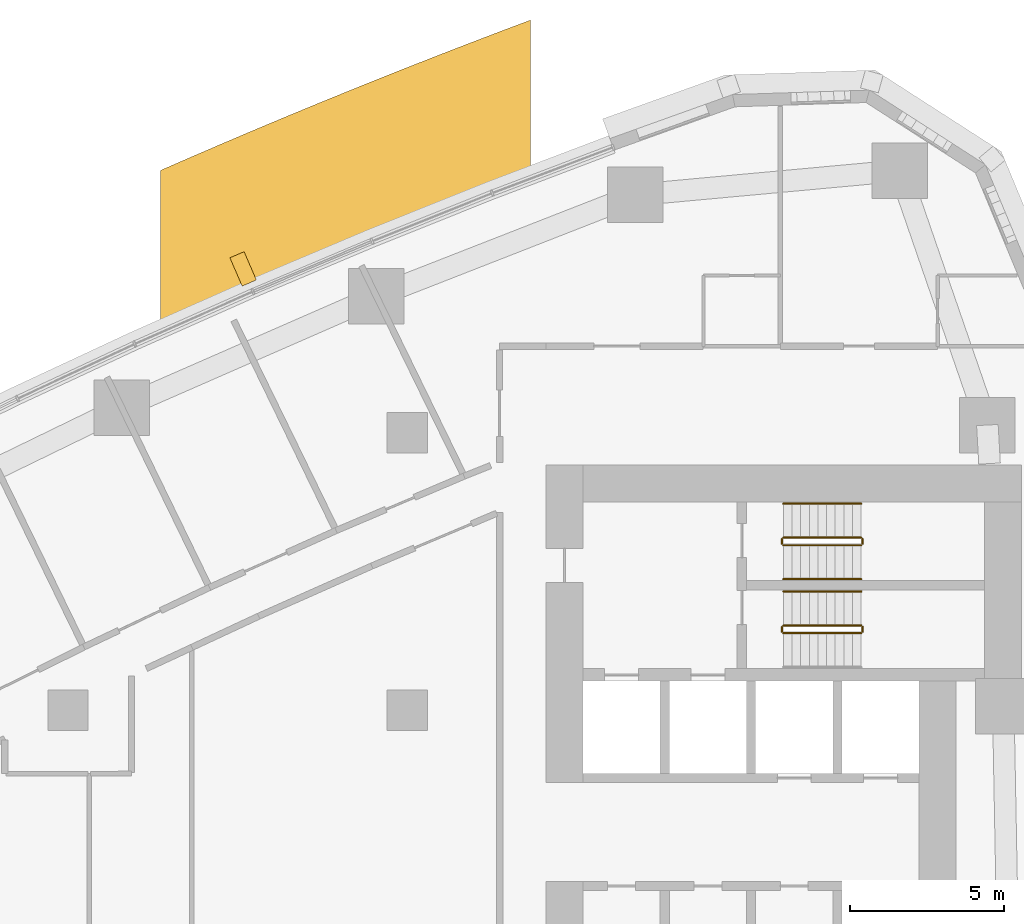
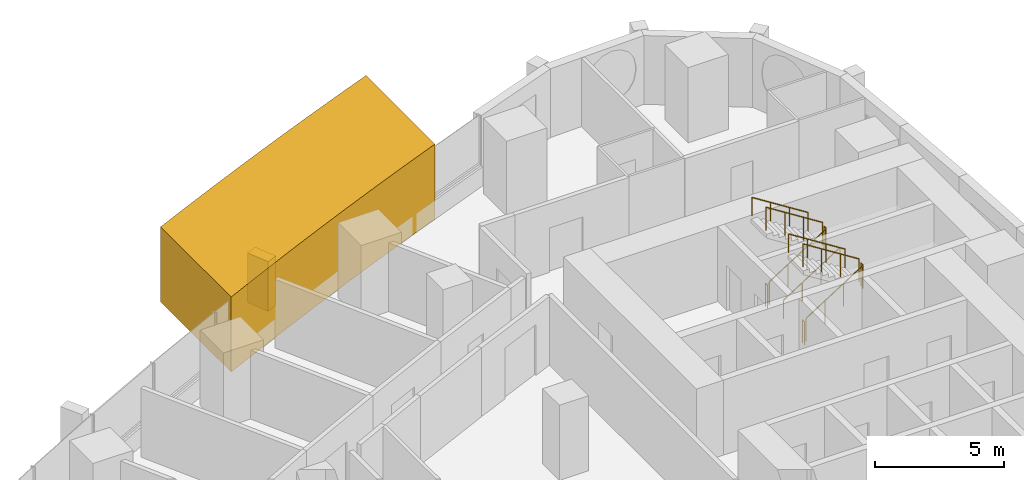
# One storey, part 18 of 19: 11 railings, 2 coverings.
"""IFC4 building model written with IfcOpenShell, lengths in metres."""

from ifc_helpers import new_model, si_unit, direction, frame, frame_2d, origin, origin_2d, place, context, subcontext, project, spatial, polyline, rectangle, circle, outline, extrude, material, layer, layer_set, type_object, element, save


model = new_model("IFC4")

# Units and contexts
model_context = context("Model", 3, precision=1e-05, world=origin(), true_north=direction((0.0, 1.0)))
body_context = subcontext(model_context, "Body", "Model", "MODEL_VIEW")
ifc_project = project(units=[si_unit("LENGTHUNIT", "METRE"), si_unit("AREAUNIT", "SQUARE_METRE"), si_unit("VOLUMEUNIT", "CUBIC_METRE"), si_unit("PLANEANGLEUNIT", "RADIAN"), si_unit("MASSUNIT", "GRAM", prefix="KILO")], contexts=[model_context])

# Site, building, storey
site_placement = place(None, origin())
site = spatial("IfcSite", under=ifc_project, at=site_placement, CompositionType="ELEMENT")
building_placement = place(site_placement, origin())
building = spatial("IfcBuilding", under=site, at=building_placement, Name="Ostrand Prow Hotel Tower", CompositionType="ELEMENT")
storey_placement = place(building_placement, frame((0.0, 0.0, 46.699951171875)))
storey = spatial("IfcBuildingStorey", under=building, at=storey_placement, Name="L09", CompositionType="ELEMENT", Elevation=46.699951171875)

# Coverings
ifc_material_1 = material(Name="Limestone cladding", Category="masonry")
ifc_layer_1 = layer(ifc_material_1, 5.0)
ifc_layer_set_1 = layer_set([ifc_layer_1], Name="Limestone cladding")
covering_type_1 = type_object("IfcCoveringType", Name="Portal jamb pilaster limestone", PredefinedType="CLADDING", material=ifc_layer_set_1)
covering_1_placement = place(storey_placement, origin())
element("IfcCovering", 1, at=covering_1_placement, inside=storey, type_object=covering_type_1, Name="Portal jamb NB L09", PredefinedType="CLADDING", context=body_context, shape_type="SweptSolid", body=[
    extrude(outline(polyline([(37.0, 21.037109375), (38.0, 21.484619140625), (39.0, 21.9267578125), (40.0, 22.363037109375), (41.0, 22.793701171875), (42.0, 23.218505859375), (43.0, 23.637939453125), (44.0, 24.051513671875), (45.0, 24.459716796875), (46.0, 24.862548828125), (47.0, 25.259765625), (48.0, 25.6513671875), (49.0, 26.03759765625), (49.0, 31.384521484375), (48.0, 31.0078125), (47.0, 30.62548828125), (46.0, 30.23828125), (45.0, 29.845703125), (44.0, 29.447509765625), (43.0, 29.044189453125), (42.0, 28.635498046875), (41.0, 28.22119140625), (40.0, 27.801513671875), (39.0, 27.376220703125), (38.0, 26.945556640625), (37.0, 26.50927734375), (37.0, 21.037109375)])), origin(), (0.0, 0.0, 1.0), 3.550048828125),
])
ifc_material_2 = material(Name="Limestone cladding", Category="masonry")
ifc_layer_2 = layer(ifc_material_2, 0.5)
ifc_layer_set_2 = layer_set([ifc_layer_2], Name="Limestone cladding")
covering_type_2 = type_object("IfcCoveringType", Name="Precast stone fin 500x900", PredefinedType="CLADDING", material=ifc_layer_set_2)
covering_2_placement = place(storey_placement, frame((39.876220703125, 22.854248046875, 0.900146484375), z_axis=(0.0, 0.0, 1.0), x_axis=(-0.397216867903, 0.917724773477, 0.0)))
element("IfcCovering", 2, at=covering_2_placement, inside=storey, type_object=covering_type_2, Name="Stone fin N 4", PredefinedType="CLADDING", context=body_context, shape_type="SweptSolid", body=[
    extrude(rectangle(XDim=1.0, YDim=0.5, at=frame_2d((0.5, 0.0))), origin(), (0.0, 0.0, 1.0), 2.349853515625),
])

# Railings
ifc_material_3 = material(Name="Painted steel", Category="steel")
railing_type_1 = type_object("IfcRailingType", Name="Stair guard 1100", PredefinedType="GUARDRAIL", material=ifc_material_3)
railing_1_placement = place(storey_placement, frame((57.199951171875, 11.5, 0.177490234375)))
element("IfcRailing", 3, at=railing_1_placement, inside=storey, type_object=railing_type_1, Name="L09 ST1C stair guard 1", PredefinedType="GUARDRAIL", context=body_context, shape_type="SweptSolid", body=[
    extrude(circle(Radius=0.02392578125, at=origin_2d()), frame((0.0, 0.0, 1.076171875), z_axis=(0.84456994832, 0.0, 0.535445237532), x_axis=(0.0, 1.0, 0.0)), (0.0, 0.0, 1.0), 2.98388671875),
    extrude(circle(Radius=0.02099609375, at=origin_2d()), origin(), (0.0, 0.0, 1.0), 1.052001953125),
    extrude(circle(Radius=0.02099609375, at=origin_2d()), frame((0.840087890625, 0.0, 0.532470703125)), (0.0, 0.0, 1.0), 1.052001953125),
    extrude(circle(Radius=0.02099609375, at=origin_2d()), frame((1.679931640625, 0.0, 1.065185546875)), (0.0, 0.0, 1.0), 1.052001953125),
    extrude(circle(Radius=0.02099609375, at=origin_2d()), frame((2.52001953125, 0.0, 1.59765625)), (0.0, 0.0, 1.0), 1.052001953125),
])
railing_2_placement = place(storey_placement, frame((59.77001953125, 11.550048828125, 1.775146484375)))
element("IfcRailing", 4, at=railing_2_placement, inside=storey, type_object=railing_type_1, Name="L09 ST1C stair guard 2", PredefinedType="GUARDRAIL", context=body_context, shape_type="SweptSolid", body=[
    extrude(circle(Radius=0.02392578125, at=origin_2d()), frame((0.0, 0.0, 1.076171875), z_axis=(0.0, 1.0, 0.0), x_axis=(-1.0, 0.0, 0.0)), (0.0, 0.0, 1.0), 0.14990234375),
    extrude(circle(Radius=0.02099609375, at=origin_2d()), origin(), (0.0, 0.0, 1.0), 1.052001953125),
    extrude(circle(Radius=0.02099609375, at=origin_2d()), frame((0.0, 0.14990234375, 0.0)), (0.0, 0.0, 1.0), 1.052001953125),
])
railing_3_placement = place(storey_placement, frame((59.719970703125, 11.75, 1.95263671875)))
element("IfcRailing", 5, at=railing_3_placement, inside=storey, type_object=railing_type_1, Name="L09 ST1C stair guard 3", PredefinedType="GUARDRAIL", context=body_context, shape_type="SweptSolid", body=[
    extrude(circle(Radius=0.02392578125, at=origin_2d()), frame((0.0, 0.0, 1.076171875), z_axis=(-0.84460694969, 0.0, 0.535386869969), x_axis=(0.0, -1.0, 0.0)), (0.0, 0.0, 1.0), 2.983642578125),
    extrude(circle(Radius=0.02099609375, at=origin_2d()), origin(), (0.0, 0.0, 1.0), 1.052001953125),
    extrude(circle(Radius=0.02099609375, at=origin_2d()), frame((-0.840087890625, 0.0, 0.532470703125)), (0.0, 0.0, 1.0), 1.052001953125),
    extrude(circle(Radius=0.02099609375, at=origin_2d()), frame((-1.679931640625, 0.0, 1.06494140625)), (0.0, 0.0, 1.0), 1.052001953125),
    extrude(circle(Radius=0.02099609375, at=origin_2d()), frame((-2.52001953125, 0.0, 1.597412109375)), (0.0, 0.0, 1.0), 1.052001953125),
])
railing_4_placement = place(storey_placement, frame((57.14990234375, 11.550048828125, 0.0)))
element("IfcRailing", 6, at=railing_4_placement, inside=storey, type_object=railing_type_1, Name="L09 ST1C stair guard 4", PredefinedType="GUARDRAIL", context=body_context, shape_type="SweptSolid", body=[
    extrude(circle(Radius=0.02392578125, at=origin_2d()), frame((0.0, 0.0, 1.076171875), z_axis=(0.0, 1.0, 0.0), x_axis=(-1.0, 0.0, 0.0)), (0.0, 0.0, 1.0), 0.14990234375),
    extrude(circle(Radius=0.02099609375, at=origin_2d()), origin(), (0.0, 0.0, 1.0), 1.052001953125),
    extrude(circle(Radius=0.02099609375, at=origin_2d()), frame((0.0, 0.14990234375, 0.0)), (0.0, 0.0, 1.0), 1.052001953125),
])
railing_5_placement = place(storey_placement, frame((57.199951171875, 14.35009765625, 0.177490234375)))
element("IfcRailing", 7, at=railing_5_placement, inside=storey, type_object=railing_type_1, Name="L09 ST3C stair guard 1", PredefinedType="GUARDRAIL", context=body_context, shape_type="SweptSolid", body=[
    extrude(circle(Radius=0.02392578125, at=origin_2d()), frame((0.0, 0.0, 1.076171875), z_axis=(0.84456994832, 0.0, 0.535445237532), x_axis=(0.0, 1.0, 0.0)), (0.0, 0.0, 1.0), 2.98388671875),
    extrude(circle(Radius=0.02099609375, at=origin_2d()), origin(), (0.0, 0.0, 1.0), 1.052001953125),
    extrude(circle(Radius=0.02099609375, at=origin_2d()), frame((0.840087890625, 0.0, 0.532470703125)), (0.0, 0.0, 1.0), 1.052001953125),
    extrude(circle(Radius=0.02099609375, at=origin_2d()), frame((1.679931640625, 0.0, 1.065185546875)), (0.0, 0.0, 1.0), 1.052001953125),
    extrude(circle(Radius=0.02099609375, at=origin_2d()), frame((2.52001953125, 0.0, 1.59765625)), (0.0, 0.0, 1.0), 1.052001953125),
])
railing_6_placement = place(storey_placement, frame((59.77001953125, 14.39990234375, 1.775146484375)))
element("IfcRailing", 8, at=railing_6_placement, inside=storey, type_object=railing_type_1, Name="L09 ST3C stair guard 2", PredefinedType="GUARDRAIL", context=body_context, shape_type="SweptSolid", body=[
    extrude(circle(Radius=0.02392578125, at=origin_2d()), frame((0.0, 0.0, 1.076171875), z_axis=(0.0, 1.0, 0.0), x_axis=(-1.0, 0.0, 0.0)), (0.0, 0.0, 1.0), 0.150146484375),
    extrude(circle(Radius=0.02099609375, at=origin_2d()), origin(), (0.0, 0.0, 1.0), 1.052001953125),
    extrude(circle(Radius=0.02099609375, at=origin_2d()), frame((0.0, 0.150146484375, 0.0)), (0.0, 0.0, 1.0), 1.052001953125),
])
railing_7_placement = place(storey_placement, frame((59.719970703125, 14.60009765625, 1.95263671875)))
element("IfcRailing", 9, at=railing_7_placement, inside=storey, type_object=railing_type_1, Name="L09 ST3C stair guard 3", PredefinedType="GUARDRAIL", context=body_context, shape_type="SweptSolid", body=[
    extrude(circle(Radius=0.02392578125, at=origin_2d()), frame((0.0, 0.0, 1.076171875), z_axis=(-0.84460694969, 0.0, 0.535386869969), x_axis=(0.0, -1.0, 0.0)), (0.0, 0.0, 1.0), 2.983642578125),
    extrude(circle(Radius=0.02099609375, at=origin_2d()), origin(), (0.0, 0.0, 1.0), 1.052001953125),
    extrude(circle(Radius=0.02099609375, at=origin_2d()), frame((-0.840087890625, 0.0, 0.532470703125)), (0.0, 0.0, 1.0), 1.052001953125),
    extrude(circle(Radius=0.02099609375, at=origin_2d()), frame((-1.679931640625, 0.0, 1.06494140625)), (0.0, 0.0, 1.0), 1.052001953125),
    extrude(circle(Radius=0.02099609375, at=origin_2d()), frame((-2.52001953125, 0.0, 1.597412109375)), (0.0, 0.0, 1.0), 1.052001953125),
])
railing_8_placement = place(storey_placement, frame((57.14990234375, 14.39990234375, 0.0)))
element("IfcRailing", 10, at=railing_8_placement, inside=storey, type_object=railing_type_1, Name="L09 ST3C stair guard 4", PredefinedType="GUARDRAIL", context=body_context, shape_type="SweptSolid", body=[
    extrude(circle(Radius=0.02392578125, at=origin_2d()), frame((0.0, 0.0, 1.076171875), z_axis=(0.0, 1.0, 0.0), x_axis=(-1.0, 0.0, 0.0)), (0.0, 0.0, 1.0), 0.150146484375),
    extrude(circle(Radius=0.02099609375, at=origin_2d()), origin(), (0.0, 0.0, 1.0), 1.052001953125),
    extrude(circle(Radius=0.02099609375, at=origin_2d()), frame((0.0, 0.150146484375, 0.0)), (0.0, 0.0, 1.0), 1.052001953125),
])
ifc_material_4 = material(Name="Stainless steel", Category="steel")
railing_type_2 = type_object("IfcRailingType", Name="Stair handrail 900", PredefinedType="HANDRAIL", material=ifc_material_4)
railing_9_placement = place(storey_placement, frame((59.719970703125, 12.85009765625, 1.95263671875)))
element("IfcRailing", 11, at=railing_9_placement, inside=storey, type_object=railing_type_2, Name="L09 ST1C stair handrail 2", PredefinedType="HANDRAIL", context=body_context, shape_type="SweptSolid", body=[
    extrude(circle(Radius=0.02392578125, at=origin_2d()), frame((0.0, 0.0, 0.8759765625), z_axis=(-0.84460694969, 0.0, 0.535386869969), x_axis=(0.0, -1.0, 0.0)), (0.0, 0.0, 1.0), 2.983642578125),
    extrude(circle(Radius=0.02099609375, at=origin_2d()), origin(), (0.0, 0.0, 1.0), 0.851806640625),
    extrude(circle(Radius=0.02099609375, at=origin_2d()), frame((-0.840087890625, 0.0, 0.532470703125)), (0.0, 0.0, 1.0), 0.851806640625),
    extrude(circle(Radius=0.02099609375, at=origin_2d()), frame((-1.679931640625, 0.0, 1.06494140625)), (0.0, 0.0, 1.0), 0.851806640625),
    extrude(circle(Radius=0.02099609375, at=origin_2d()), frame((-2.52001953125, 0.0, 1.597412109375)), (0.0, 0.0, 1.0), 0.851806640625),
])
railing_10_placement = place(storey_placement, frame((57.199951171875, 13.25, 0.177490234375)))
element("IfcRailing", 12, at=railing_10_placement, inside=storey, type_object=railing_type_2, Name="L09 ST3C stair handrail 1", PredefinedType="HANDRAIL", context=body_context, shape_type="SweptSolid", body=[
    extrude(circle(Radius=0.02392578125, at=origin_2d()), frame((0.0, 0.0, 0.8759765625), z_axis=(0.84456994832, 0.0, 0.535445237532), x_axis=(0.0, 1.0, 0.0)), (0.0, 0.0, 1.0), 2.98388671875),
    extrude(circle(Radius=0.02099609375, at=origin_2d()), origin(), (0.0, 0.0, 1.0), 0.851806640625),
    extrude(circle(Radius=0.02099609375, at=origin_2d()), frame((0.840087890625, 0.0, 0.532470703125)), (0.0, 0.0, 1.0), 0.851806640625),
    extrude(circle(Radius=0.02099609375, at=origin_2d()), frame((1.679931640625, 0.0, 1.065185546875)), (0.0, 0.0, 1.0), 0.851806640625),
    extrude(circle(Radius=0.02099609375, at=origin_2d()), frame((2.52001953125, 0.0, 1.59765625)), (0.0, 0.0, 1.0), 0.851806640625),
])
railing_11_placement = place(storey_placement, frame((59.719970703125, 15.699951171875, 1.95263671875)))
element("IfcRailing", 13, at=railing_11_placement, inside=storey, type_object=railing_type_2, Name="L09 ST3C stair handrail 2", PredefinedType="HANDRAIL", context=body_context, shape_type="SweptSolid", body=[
    extrude(circle(Radius=0.02392578125, at=origin_2d()), frame((0.0, 0.0, 0.8759765625), z_axis=(-0.84460694969, 0.0, 0.535386869969), x_axis=(0.0, -1.0, 0.0)), (0.0, 0.0, 1.0), 2.983642578125),
    extrude(circle(Radius=0.02099609375, at=origin_2d()), origin(), (0.0, 0.0, 1.0), 0.851806640625),
    extrude(circle(Radius=0.02099609375, at=origin_2d()), frame((-0.840087890625, 0.0, 0.532470703125)), (0.0, 0.0, 1.0), 0.851806640625),
    extrude(circle(Radius=0.02099609375, at=origin_2d()), frame((-1.679931640625, 0.0, 1.06494140625)), (0.0, 0.0, 1.0), 0.851806640625),
    extrude(circle(Radius=0.02099609375, at=origin_2d()), frame((-2.52001953125, 0.0, 1.597412109375)), (0.0, 0.0, 1.0), 0.851806640625),
])

save(model, "model.ifc")
